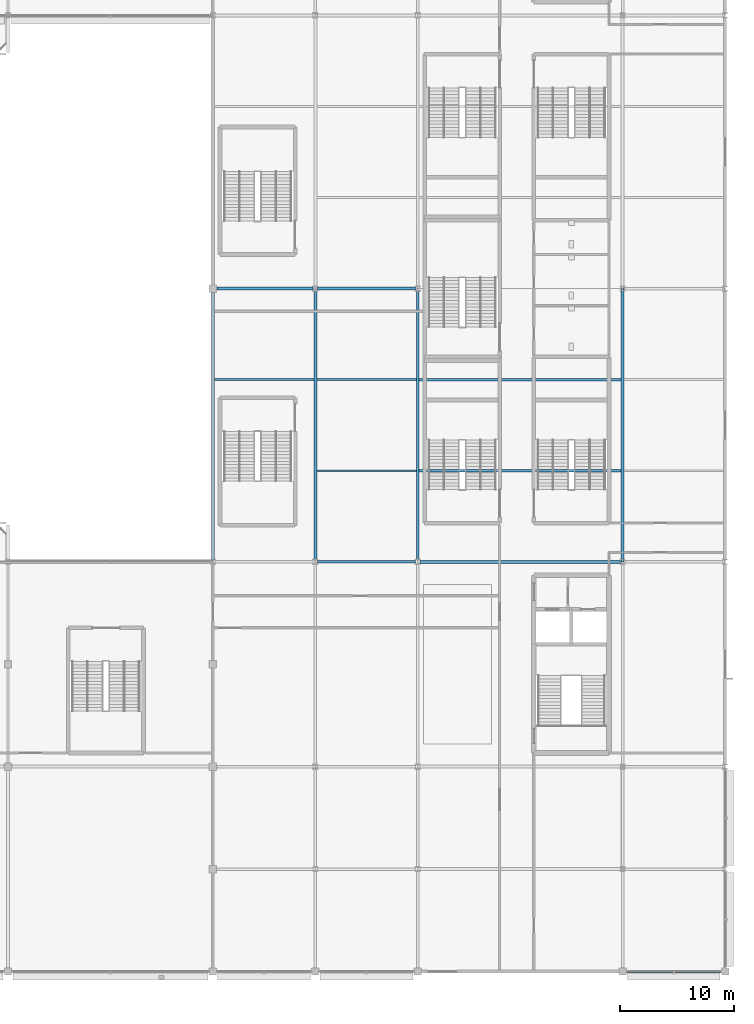
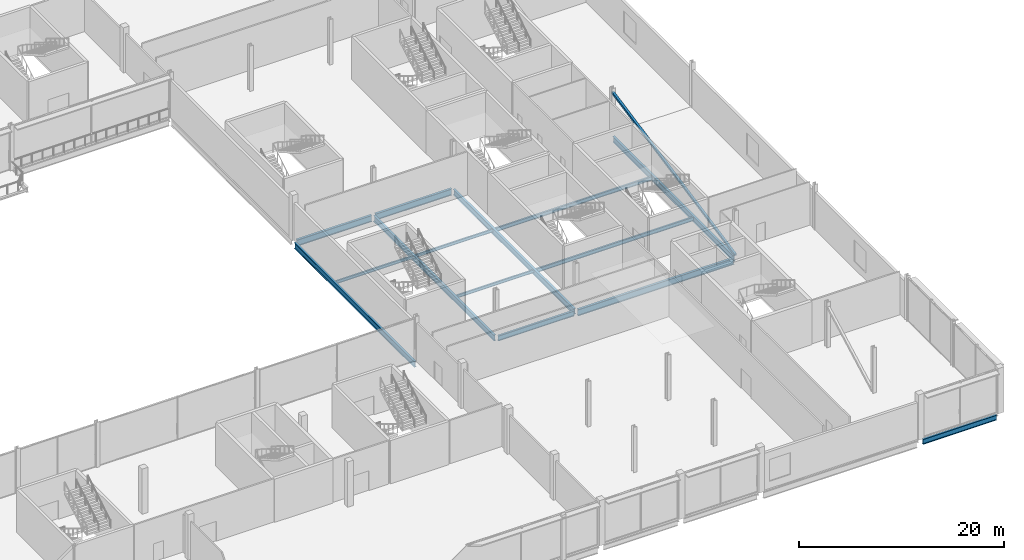
# One storey, part 51 of 113: 14 beams, 1 member.
"""IFC4 building model written with IfcOpenShell, lengths in metres."""

from ifc_helpers import new_model, si_unit, direction, frame, origin, origin_2d, place, context, subcontext, project, spatial, hollow_rectangle, i_section, extrude, material, material_profile, profile_set, type_object, element, save


model = new_model("IFC4")

# Units and contexts
model_context = context("Model", 3, precision=1e-05, world=origin(), true_north=direction((0.0, 1.0)))
body_context = subcontext(model_context, "Body", "Model", "MODEL_VIEW")
ifc_project = project(units=[si_unit("LENGTHUNIT", "METRE"), si_unit("AREAUNIT", "SQUARE_METRE"), si_unit("VOLUMEUNIT", "CUBIC_METRE"), si_unit("PLANEANGLEUNIT", "RADIAN"), si_unit("MASSUNIT", "GRAM", prefix="KILO")], contexts=[model_context])

# Site, building, storey
site_placement = place(None, origin())
site = spatial("IfcSite", under=ifc_project, at=site_placement, CompositionType="ELEMENT")
building_placement = place(site_placement, origin())
building = spatial("IfcBuilding", under=site, at=building_placement, Name="Kisiwana Market Hall", CompositionType="ELEMENT")
storey_placement = place(building_placement, frame((0.0, 0.0, 6.0)))
storey = spatial("IfcBuildingStorey", under=building, at=storey_placement, Name="L01", CompositionType="ELEMENT", Elevation=6.0)

# Beams
ifc_material_1 = material(Name="Steel S355", Category="steel")
ifc_material_profile_1 = material_profile(ifc_material_1, i_section(OverallWidth=0.22900390625, OverallDepth=0.6123046875, WebThickness=0.011962890625, FlangeThickness=0.01953125, at=origin_2d()), Name="UB 610x229x125")
ifc_profile_set_1 = profile_set([ifc_material_profile_1], Name="Steel S355")
beam_type_1 = type_object("IfcBeamType", Name="BM-GIRD-UB610H", PredefinedType="BEAM", material=ifc_profile_set_1)
beam_1_placement = place(storey_placement, frame((189.345947265625, 0.0, -0.55615234375), z_axis=(1.0, 0.0, 0.0), x_axis=(0.0, 1.0, 0.0)))
element("IfcBeam", 1, at=beam_1_placement, inside=storey, type_object=beam_type_1, Name="Floor beam B-0462", PredefinedType="BEAM", context=body_context, shape_type="SweptSolid", body=[
    extrude(i_section(OverallWidth=0.22900390625, OverallDepth=0.6123046875, WebThickness=0.011962890625, FlangeThickness=0.01953125, at=origin_2d()), origin(), (0.0, 0.0, 1.0), 8.30810546875),
])
beam_2_placement = place(storey_placement, frame((162.201904296875, 36.0, -0.55615234375), z_axis=(1.0, 0.0, 0.0), x_axis=(0.0, 1.0, 0.0)))
element("IfcBeam", 2, at=beam_2_placement, inside=storey, type_object=beam_type_1, Name="Floor beam B-0498", PredefinedType="BEAM", context=body_context, shape_type="SweptSolid", body=[
    extrude(i_section(OverallWidth=0.22900390625, OverallDepth=0.6123046875, WebThickness=0.011962890625, FlangeThickness=0.01953125, at=origin_2d()), origin(), (0.0, 0.0, 1.0), 8.59619140625),
])
ifc_material_2 = material(Name="Steel S355", Category="steel")
ifc_material_profile_2 = material_profile(ifc_material_2, i_section(OverallWidth=0.253662109375, OverallDepth=0.68359375, WebThickness=0.012451171875, FlangeThickness=0.01904296875, at=origin_2d()), Name="UB 686x254x140")
ifc_profile_set_2 = profile_set([ifc_material_profile_2], Name="Steel S355")
beam_type_2 = type_object("IfcBeamType", Name="BM-GIRD-UB686", PredefinedType="BEAM", material=ifc_profile_set_2)
beam_3_placement = place(storey_placement, frame((153.0, 36.21337890625, -0.591796875), z_axis=(0.0, 1.0, 0.0), x_axis=(-1.0, 0.0, 0.0)))
element("IfcBeam", 3, at=beam_3_placement, inside=storey, type_object=beam_type_2, Name="Floor beam B-0567", PredefinedType="BEAM", context=body_context, shape_type="SweptSolid", body=[
    extrude(i_section(OverallWidth=0.253662109375, OverallDepth=0.68359375, WebThickness=0.012451171875, FlangeThickness=0.01904296875, at=origin_2d()), origin(), (0.0, 0.0, 1.0), 23.440673828125),
])
for number, where, z_axis, x_axis, name in (
    (4, (171.0, 36.21337890625, -0.591796875), (0.0, 1.0, 0.0), (-1.0, 0.0, 0.0), "Floor beam B-0569"),
    (5, (162.0, 36.21337890625, -0.591796875), (0.0, 1.0, 0.0), (-1.0, 0.0, 0.0), "Primary girder B-0402"),
    (6, (189.0, 36.21337890625, -0.591796875), (0.0, 1.0, 0.0), (-1.0, 0.0, 0.0), "Primary girder B-0416"),
):
    element("IfcBeam", number, at=place(storey_placement, frame(where, z_axis=z_axis, x_axis=x_axis)), inside=storey, type_object=beam_type_2, Name=name, PredefinedType="BEAM", context=body_context, shape_type="SweptSolid", body=[
        extrude(i_section(OverallWidth=0.253662109375, OverallDepth=0.68359375, WebThickness=0.012451171875, FlangeThickness=0.01904296875, at=origin_2d()), origin(), (0.0, 0.0, 1.0), 23.5732421875),
    ])
ifc_material_3 = material(Name="Steel S355", Category="steel")
ifc_material_profile_3 = material_profile(ifc_material_3, i_section(OverallWidth=0.2666015625, OverallDepth=0.76220703125, WebThickness=0.014404296875, FlangeThickness=0.021484375, at=origin_2d()), Name="UB 762x267x173")
ifc_profile_set_3 = profile_set([ifc_material_profile_3], Name="Steel S355")
beam_type_3 = type_object("IfcBeamType", Name="BM-GIRD-UB762", PredefinedType="BEAM", material=ifc_profile_set_3)
beam_4_placement = place(storey_placement, frame((171.201904296875, 36.0, -0.631103515625), z_axis=(1.0, 0.0, 0.0), x_axis=(0.0, 1.0, 0.0)))
element("IfcBeam", 7, at=beam_4_placement, inside=storey, type_object=beam_type_3, Name="Floor beam B-0499", PredefinedType="BEAM", context=body_context, shape_type="SweptSolid", body=[
    extrude(i_section(OverallWidth=0.2666015625, OverallDepth=0.76220703125, WebThickness=0.014404296875, FlangeThickness=0.021484375, at=origin_2d()), origin(), (0.0, 0.0, 1.0), 17.59619140625),
])
beam_5_placement = place(storey_placement, frame((153.345947265625, 60.0, -0.631103515625), z_axis=(1.0, 0.0, 0.0), x_axis=(0.0, 1.0, 0.0)))
element("IfcBeam", 8, at=beam_5_placement, inside=storey, type_object=beam_type_3, Name="Floor beam B-0502", PredefinedType="BEAM", context=body_context, shape_type="SweptSolid", body=[
    extrude(i_section(OverallWidth=0.2666015625, OverallDepth=0.76220703125, WebThickness=0.014404296875, FlangeThickness=0.021484375, at=origin_2d()), origin(), (0.0, 0.0, 1.0), 8.4521484375),
])
beam_6_placement = place(storey_placement, frame((162.201904296875, 60.0, -0.631103515625), z_axis=(1.0, 0.0, 0.0), x_axis=(0.0, 1.0, 0.0)))
element("IfcBeam", 9, at=beam_6_placement, inside=storey, type_object=beam_type_3, Name="Floor beam B-0328", PredefinedType="BEAM", context=body_context, shape_type="SweptSolid", body=[
    extrude(i_section(OverallWidth=0.2666015625, OverallDepth=0.76220703125, WebThickness=0.014404296875, FlangeThickness=0.021484375, at=origin_2d()), origin(), (0.0, 0.0, 1.0), 8.59619140625),
])
ifc_material_4 = material(Name="Steel S355", Category="steel")
ifc_material_profile_4 = material_profile(ifc_material_4, i_section(OverallWidth=0.17138671875, OverallDepth=0.35498046875, WebThickness=0.00732421875, FlangeThickness=0.011474609375, at=origin_2d()), Name="UB 356x171x51")
ifc_profile_set_4 = profile_set([ifc_material_profile_4], Name="Steel S355")
beam_type_4 = type_object("IfcBeamType", Name="BM-JOIST-UB356", PredefinedType="JOIST", material=ifc_profile_set_4)
for number, where, z_axis, x_axis, name in (
    (10, (162.125732421875, 44.0, -0.427490234375), (1.0, 0.0, 0.0), (0.0, 1.0, 0.0), "Secondary floor joist B-0424"),
    (11, (153.125732421875, 52.0, -0.427490234375), (1.0, 0.0, 0.0), (0.0, 1.0, 0.0), "Secondary floor joist B-0431"),
    (12, (162.125732421875, 52.0, -0.427490234375), (1.0, 0.0, 0.0), (0.0, 1.0, 0.0), "Secondary floor joist B-0432"),
):
    element("IfcBeam", number, at=place(storey_placement, frame(where, z_axis=z_axis, x_axis=x_axis)), inside=storey, type_object=beam_type_4, Name=name, PredefinedType="JOIST", context=body_context, shape_type="SweptSolid", body=[
        extrude(i_section(OverallWidth=0.17138671875, OverallDepth=0.35498046875, WebThickness=0.00732421875, FlangeThickness=0.011474609375, at=origin_2d()), origin(), (0.0, 0.0, 1.0), 8.74853515625),
    ])
ifc_material_5 = material(Name="Steel S355", Category="steel")
ifc_material_profile_5 = material_profile(ifc_material_5, i_section(OverallWidth=0.18994140625, OverallDepth=0.453369140625, WebThickness=0.008544921875, FlangeThickness=0.0126953125, at=origin_2d()), Name="UB 457x191x67")
ifc_profile_set_5 = profile_set([ifc_material_profile_5], Name="Steel S355")
beam_type_5 = type_object("IfcBeamType", Name="BM-JOIST-UB457", PredefinedType="JOIST", material=ifc_profile_set_5)
for number, where, z_axis, x_axis, name in (
    (13, (171.125732421875, 44.0, -0.476806640625), (1.0, 0.0, 0.0), (0.0, 1.0, 0.0), "Secondary floor joist B-0425"),
    (14, (171.125732421875, 52.0, -0.476806640625), (1.0, 0.0, 0.0), (0.0, 1.0, 0.0), "Secondary floor joist B-0433"),
):
    element("IfcBeam", number, at=place(storey_placement, frame(where, z_axis=z_axis, x_axis=x_axis)), inside=storey, type_object=beam_type_5, Name=name, PredefinedType="JOIST", context=body_context, shape_type="SweptSolid", body=[
        extrude(i_section(OverallWidth=0.18994140625, OverallDepth=0.453369140625, WebThickness=0.008544921875, FlangeThickness=0.0126953125, at=origin_2d()), origin(), (0.0, 0.0, 1.0), 17.74853515625),
    ])

# Member
ifc_material_6 = material(Name="Steel S355", Category="steel")
ifc_material_profile_6 = material_profile(ifc_material_6, hollow_rectangle(XDim=0.25, YDim=0.25, WallThickness=0.012451171875, at=origin_2d()), Name="SHS 250x250x12.5")
ifc_profile_set_6 = profile_set([ifc_material_profile_6], Name="Steel S355")
member_type = type_object("IfcMemberType", Name="MB-CBF-SHS250", PredefinedType="BRACE", material=ifc_profile_set_6)
member_placement = place(storey_placement, frame((189.0, 36.0, 0.0), z_axis=(0.0, 0.980185232723, 0.198083087497), x_axis=(-1.0, 0.0, 0.0)))
element("IfcMember", 15, at=member_placement, inside=storey, type_object=member_type, Name="CBF-POD-E diagonal brace (L01) M-0018", PredefinedType="BRACE", context=body_context, shape_type="SweptSolid", body=[
    extrude(hollow_rectangle(XDim=0.25, YDim=0.25, WallThickness=0.012451171875, at=origin_2d()), origin(), (0.0, 0.0, 1.0), 24.485107421875),
])

save(model, "model.ifc")
